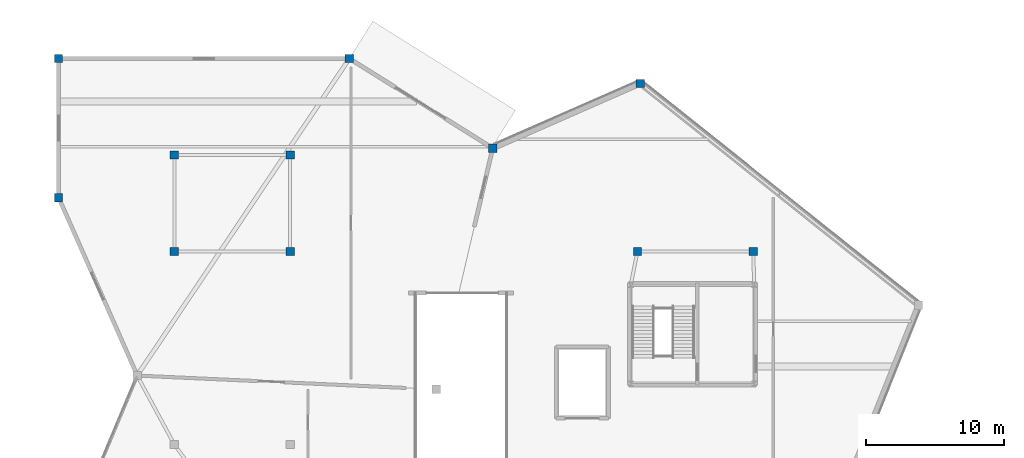
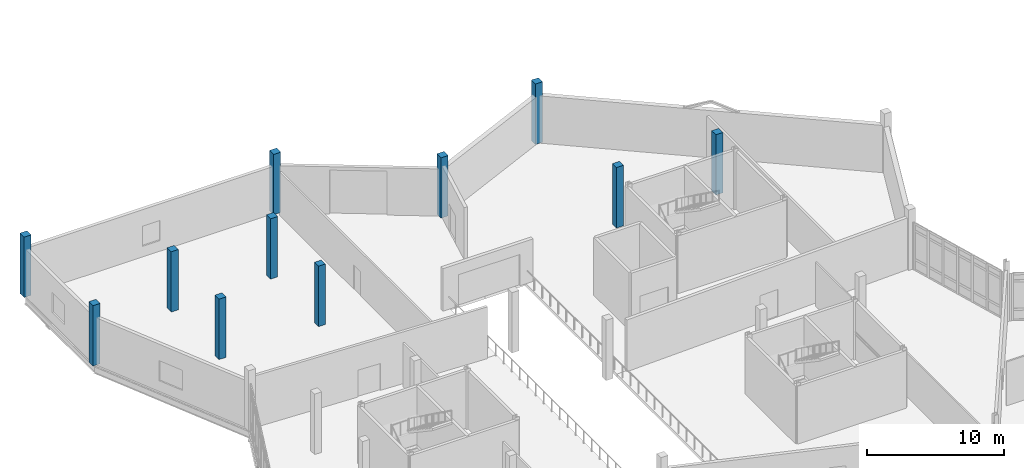
# One storey, part 14 of 113: 11 columns.
"""IFC4 building model written with IfcOpenShell, lengths in metres."""

from ifc_helpers import new_model, si_unit, direction, frame, origin, origin_2d, place, context, subcontext, project, spatial, rectangle, extrude, material, material_profile, profile_set, type_object, element, save


model = new_model("IFC4")

# Units and contexts
model_context = context("Model", 3, precision=1e-05, world=origin(), true_north=direction((0.0, 1.0)))
body_context = subcontext(model_context, "Body", "Model", "MODEL_VIEW")
ifc_project = project(units=[si_unit("LENGTHUNIT", "METRE"), si_unit("AREAUNIT", "SQUARE_METRE"), si_unit("VOLUMEUNIT", "CUBIC_METRE"), si_unit("PLANEANGLEUNIT", "RADIAN"), si_unit("MASSUNIT", "GRAM", prefix="KILO")], contexts=[model_context])

# Site, building, storey
site_placement = place(None, origin())
site = spatial("IfcSite", under=ifc_project, at=site_placement, CompositionType="ELEMENT")
building_placement = place(site_placement, origin())
building = spatial("IfcBuilding", under=site, at=building_placement, Name="Tameran Prism Museum", CompositionType="ELEMENT")
storey_placement = place(building_placement, origin())
storey = spatial("IfcBuildingStorey", under=building, at=storey_placement, Name="L00", CompositionType="ELEMENT", Elevation=0.0)

# Columns
ifc_material = material(Name="Concrete N50 (50 MPa)", Category="concrete")
ifc_material_profile = material_profile(ifc_material, rectangle(XDim=0.60009765625, YDim=0.60009765625, at=origin_2d()))
ifc_profile_set = profile_set([ifc_material_profile])
column_type = type_object("IfcColumnType", Name="COL-RC600", PredefinedType="COLUMN", material=ifc_profile_set)
for number, where, z_axis, x_axis, name in (
    (1, (0.0, 101.89990234375, 0.0), (0.0, 0.0, 1.0), (1.0, 0.0, 0.0), "Column CV-07 L00"),
    (2, (0.0, 112.0, 0.0), (0.0, 0.0, 1.0), (1.0, 0.0, 0.0), "Column CV-08 L00"),
    (3, (21.10009765625, 112.0, 0.0), (0.0, 0.0, 1.0), (1.0, 0.0, 0.0), "Column CV-12 L00"),
    (4, (31.5, 105.5, 0.0), (0.0, 0.0, 1.0), (1.0, 0.0, 0.0), "Column CV-19 L00"),
    (5, (42.199951171875, 110.199951171875, 0.0), (0.0, 0.0, 1.0), (1.0, 0.0, 0.0), "Column CV-22 L00"),
    (6, (42.0, 98.0, 0.0), (0.0, 0.0, 1.0), (1.0, 0.0, 0.0), "Column CI-03 L00"),
    (7, (50.39990234375, 98.0, 0.0), (0.0, 0.0, 1.0), (1.0, 0.0, 0.0), "Column CI-04 L00"),
    (8, (8.39990234375, 98.0, 0.0), (0.0, 0.0, 1.0), (1.0, 0.0, 0.0), "Column CI-09 L00"),
    (9, (8.39990234375, 105.0, 0.0), (0.0, 0.0, 1.0), (1.0, 0.0, 0.0), "Column CI-10 L00"),
    (10, (16.800048828125, 98.0, 0.0), (0.0, 0.0, 1.0), (1.0, 0.0, 0.0), "Column CI-11 L00"),
    (11, (16.800048828125, 105.0, 0.0), (0.0, 0.0, 1.0), (1.0, 0.0, 0.0), "Column CI-12 L00"),
):
    element("IfcColumn", number, at=place(storey_placement, frame(where, z_axis=z_axis, x_axis=x_axis)), inside=storey, type_object=column_type, Name=name, PredefinedType="COLUMN", context=body_context, shape_type="SweptSolid", body=[
        extrude(rectangle(XDim=0.60009765625, YDim=0.60009765625, at=origin_2d()), origin(), (0.0, 0.0, 1.0), 5.39990234375),
    ])

save(model, "model.ifc")
